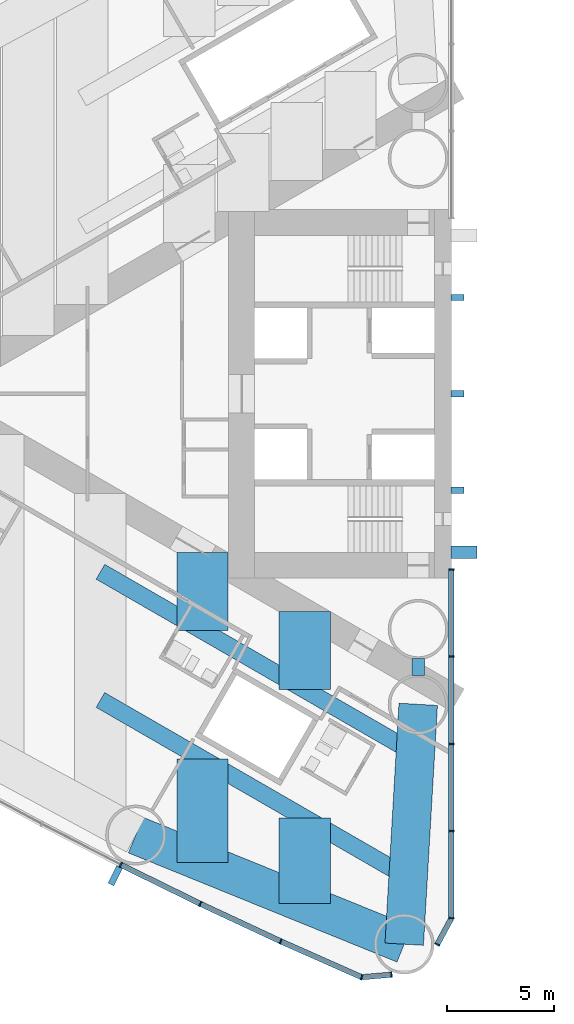
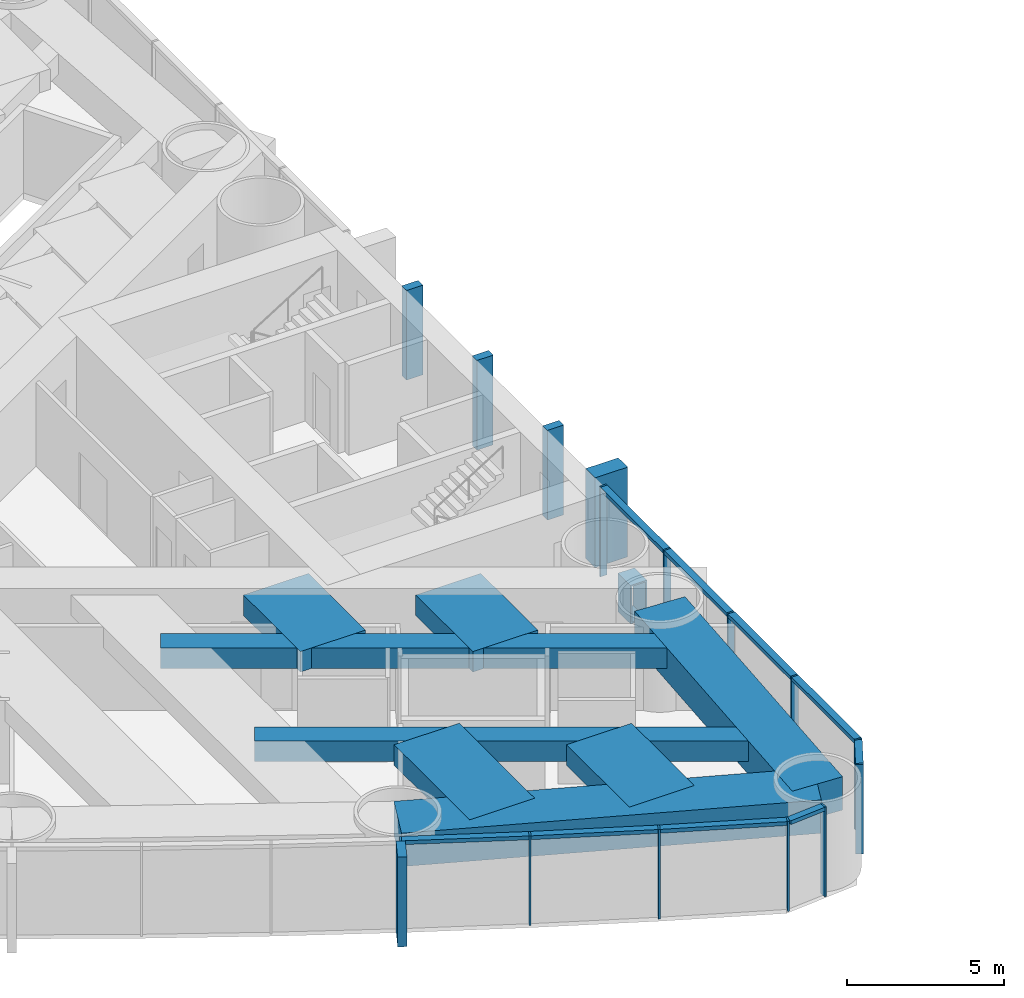
# One storey, part 3 of 19: 25 members, 9 beams, 2 elements without a shape of their own.
"""IFC4 building model written with IfcOpenShell, lengths in metres."""

from ifc_helpers import new_model, si_unit, direction, frame, origin, origin_2d, place, context, subcontext, project, spatial, rectangle, hollow_rectangle, extrude, material, material_profile, profile_set, type_object, element, aggregate, save


model = new_model("IFC4")

# Units and contexts
model_context = context("Model", 3, precision=1e-05, world=origin(), true_north=direction((0.0, 1.0)))
body_context = subcontext(model_context, "Body", "Model", "MODEL_VIEW")
ifc_project = project(units=[si_unit("LENGTHUNIT", "METRE"), si_unit("AREAUNIT", "SQUARE_METRE"), si_unit("VOLUMEUNIT", "CUBIC_METRE"), si_unit("PLANEANGLEUNIT", "RADIAN"), si_unit("MASSUNIT", "GRAM", prefix="KILO")], contexts=[model_context])

# Site, building, storey
site_placement = place(None, origin())
site = spatial("IfcSite", under=ifc_project, at=site_placement, CompositionType="ELEMENT")
building_placement = place(site_placement, origin())
building = spatial("IfcBuilding", under=site, at=building_placement, Name="Lancet Gate Hotel", CompositionType="ELEMENT")
storey_placement = place(building_placement, frame((0.0, 0.0, 35.5)))
storey = spatial("IfcBuildingStorey", under=building, at=storey_placement, Name="L08", CompositionType="ELEMENT", Elevation=35.5)

# Curtain wall, members
ifc_material_1 = material(Name="Aluminium curtain wall", Category="aluminium")
curtain_wall_type = type_object("IfcCurtainWallType", Name="Tower unitised curtain wall", PredefinedType="USERDEFINED", material=ifc_material_1)
curtain_wall_1_placement = place(storey_placement, origin())
curtain_wall_1 = element("IfcCurtainWall", 1, at=curtain_wall_1_placement, inside=storey, type_object=curtain_wall_type, Name="T1 L08 curtain wall 3", ObjectType="UNITISED CURTAIN WALL", PredefinedType="USERDEFINED")
ifc_material_2 = material(Name="Aluminium mullion", Category="aluminium")
ifc_material_profile_1 = material_profile(ifc_material_2, rectangle(XDim=0.06494140625, YDim=0.25, at=origin_2d()), Name="MULLION 65x250")
ifc_profile_set_1 = profile_set([ifc_material_profile_1], Name="Aluminium mullion")
member_type_1 = type_object("IfcMemberType", Name="Aluminium mullion 65x250", PredefinedType="MULLION", material=ifc_profile_set_1)
member_1_placement = place(storey_placement, frame((-42.94189453125, -21.991943359375, 0.0), z_axis=(0.0, 0.0, 1.0), x_axis=(0.893291549794, -0.449477704748, 0.0)))
member_1 = element("IfcMember", 2, at=member_1_placement, type_object=member_type_1, Name="T1 L08 curtain wall 3 mullion 11", PredefinedType="MULLION", context=body_context, shape_type="SweptSolid", body=[
    extrude(rectangle(XDim=0.06494140625, YDim=0.25, at=origin_2d()), origin(), (0.0, 0.0, 1.0), 3.5),
])
member_2_placement = place(storey_placement, frame((-39.225341796875, -23.816650390625, 0.0), z_axis=(0.0, 0.0, 1.0), x_axis=(0.901928838337, -0.431884672772, 0.0)))
member_2 = element("IfcMember", 3, at=member_2_placement, type_object=member_type_1, Name="T1 L08 curtain wall 3 mullion 12", PredefinedType="MULLION", context=body_context, shape_type="SweptSolid", body=[
    extrude(rectangle(XDim=0.06494140625, YDim=0.25, at=origin_2d()), origin(), (0.0, 0.0, 1.0), 3.5),
])
member_3_placement = place(storey_placement, frame((-35.473876953125, -25.568115234375, 0.0), z_axis=(0.0, 0.0, 1.0), x_axis=(0.910219680212, -0.414125746308, 0.0)))
member_3 = element("IfcMember", 4, at=member_3_placement, type_object=member_type_1, Name="T1 L08 curtain wall 3 mullion 13", PredefinedType="MULLION", context=body_context, shape_type="SweptSolid", body=[
    extrude(rectangle(XDim=0.06494140625, YDim=0.25, at=origin_2d()), origin(), (0.0, 0.0, 1.0), 3.5),
])
member_4_placement = place(storey_placement, frame((-31.688720703125, -27.24560546875, 0.0), z_axis=(0.0, 0.0, 1.0), x_axis=(0.957524354695, -0.288352406209, 0.0)))
member_4 = element("IfcMember", 5, at=member_4_placement, type_object=member_type_1, Name="T1 L08 curtain wall 3 mullion 14", PredefinedType="MULLION", context=body_context, shape_type="SweptSolid", body=[
    extrude(rectangle(XDim=0.06494140625, YDim=0.25, at=origin_2d()), origin(), (0.0, 0.0, 1.0), 3.5),
])
member_5_placement = place(storey_placement, frame((-30.3046875, -27.124755859375, 0.0), z_axis=(0.0, 0.0, 1.0), x_axis=(0.99620380374, 0.087051602022, 0.0)))
member_5 = element("IfcMember", 6, at=member_5_placement, type_object=member_type_1, Name="T1 L08 curtain wall 3 mullion 15", PredefinedType="MULLION", context=body_context, shape_type="SweptSolid", body=[
    extrude(rectangle(XDim=0.06494140625, YDim=0.25, at=origin_2d()), origin(), (0.0, 0.0, 1.0), 3.5),
])

curtain_wall_2_placement = place(storey_placement, origin())
curtain_wall_2 = element("IfcCurtainWall", 7, at=curtain_wall_2_placement, inside=storey, type_object=curtain_wall_type, Name="T1 L08 curtain wall 4", ObjectType="UNITISED CURTAIN WALL", PredefinedType="USERDEFINED")
member_6_placement = place(storey_placement, frame((-28.158935546875, -25.712890625, 0.0), z_axis=(0.0, 0.0, 1.0), x_axis=(0.474631040972, 0.880184852714, 0.0)))
member_6 = element("IfcMember", 8, at=member_6_placement, type_object=member_type_1, Name="T1 L08 curtain wall 4 mullion 1", PredefinedType="MULLION", context=body_context, shape_type="SweptSolid", body=[
    extrude(rectangle(XDim=0.06494140625, YDim=0.25, at=origin_2d()), origin(), (0.0, 0.0, 1.0), 3.5),
])
member_7_placement = place(storey_placement, frame((-27.5, -24.4912109375, 0.0), z_axis=(0.0, 0.0, 1.0), x_axis=(0.123482502544, 0.992346749662, 0.0)))
member_7 = element("IfcMember", 9, at=member_7_placement, type_object=member_type_1, Name="T1 L08 curtain wall 4 mullion 2", PredefinedType="MULLION", context=body_context, shape_type="SweptSolid", body=[
    extrude(rectangle(XDim=0.06494140625, YDim=0.25, at=origin_2d()), origin(), (0.0, 0.0, 1.0), 3.5),
])
member_8_placement = place(storey_placement, frame((-27.5, -20.41845703125, 0.0), z_axis=(0.0, 0.0, 1.0), x_axis=(0.0, 1.0, 0.0)))
member_8 = element("IfcMember", 10, at=member_8_placement, type_object=member_type_1, Name="T1 L08 curtain wall 4 mullion 3", PredefinedType="MULLION", context=body_context, shape_type="SweptSolid", body=[
    extrude(rectangle(XDim=0.06494140625, YDim=0.25, at=origin_2d()), origin(), (0.0, 0.0, 1.0), 3.5),
])
member_9_placement = place(storey_placement, frame((-27.5, -16.345703125, 0.0), z_axis=(0.0, 0.0, 1.0), x_axis=(0.0, 1.0, 0.0)))
member_9 = element("IfcMember", 11, at=member_9_placement, type_object=member_type_1, Name="T1 L08 curtain wall 4 mullion 4", PredefinedType="MULLION", context=body_context, shape_type="SweptSolid", body=[
    extrude(rectangle(XDim=0.06494140625, YDim=0.25, at=origin_2d()), origin(), (0.0, 0.0, 1.0), 3.5),
])
member_10_placement = place(storey_placement, frame((-27.5, -12.272705078125, 0.0), z_axis=(0.0, 0.0, 1.0), x_axis=(0.0, 1.0, 0.0)))
member_10 = element("IfcMember", 12, at=member_10_placement, type_object=member_type_1, Name="T1 L08 curtain wall 4 mullion 5", PredefinedType="MULLION", context=body_context, shape_type="SweptSolid", body=[
    extrude(rectangle(XDim=0.06494140625, YDim=0.25, at=origin_2d()), origin(), (0.0, 0.0, 1.0), 3.5),
])
member_11_placement = place(storey_placement, frame((-27.5, -8.199951171875, 0.0), z_axis=(0.0, 0.0, 1.0), x_axis=(0.0, 1.0, 0.0)))
member_11 = element("IfcMember", 13, at=member_11_placement, type_object=member_type_1, Name="T1 L08 curtain wall 4 mullion 6", PredefinedType="MULLION", context=body_context, shape_type="SweptSolid", body=[
    extrude(rectangle(XDim=0.06494140625, YDim=0.25, at=origin_2d()), origin(), (0.0, 0.0, 1.0), 3.5),
])

# Member
ifc_material_3 = material(Name="Aluminium transom", Category="aluminium")
ifc_material_profile_2 = material_profile(ifc_material_3, rectangle(XDim=0.25, YDim=0.14990234375, at=origin_2d()), Name="TRANSOM 250x150")
ifc_profile_set_2 = profile_set([ifc_material_profile_2], Name="Aluminium transom")
member_type_2 = type_object("IfcMemberType", Name="Aluminium transom 250x150", PredefinedType="USERDEFINED", material=ifc_profile_set_2)
member_12_placement = place(storey_placement, frame((-42.912841796875, -22.00634765625, 3.425048828125), z_axis=(0.897662439958, -0.440683723194, 0.0), x_axis=(0.440683723194, 0.897662439958, 0.0)))
member_12 = element("IfcMember", 14, at=member_12_placement, type_object=member_type_2, Name="T1 L08 curtain wall 3 transom 11", ObjectType="TRANSOM", PredefinedType="USERDEFINED", context=body_context, shape_type="SweptSolid", body=[
    extrude(rectangle(XDim=0.25, YDim=0.14990234375, at=origin_2d()), origin(), (0.0, 0.0, 1.0), 4.0751953125),
])

member_13_placement = place(storey_placement, frame((-39.196044921875, -23.830322265625, 3.425048828125), z_axis=(0.906109667261, -0.423042871228, 0.0), x_axis=(0.423042871228, 0.906109667261, 0.0)))
member_13 = element("IfcMember", 15, at=member_13_placement, type_object=member_type_2, Name="T1 L08 curtain wall 3 transom 12", ObjectType="TRANSOM", PredefinedType="USERDEFINED", context=body_context, shape_type="SweptSolid", body=[
    extrude(rectangle(XDim=0.25, YDim=0.14990234375, at=origin_2d()), origin(), (0.0, 0.0, 1.0), 4.075439453125),
])

member_14_placement = place(storey_placement, frame((-35.444091796875, -25.581298828125, 3.425048828125), z_axis=(0.914248281954, -0.405154389022, 0.0), x_axis=(0.405154389022, 0.914248281954, 0.0)))
member_14 = element("IfcMember", 16, at=member_14_placement, type_object=member_type_2, Name="T1 L08 curtain wall 3 transom 13", ObjectType="TRANSOM", PredefinedType="USERDEFINED", context=body_context, shape_type="SweptSolid", body=[
    extrude(rectangle(XDim=0.25, YDim=0.14990234375, at=origin_2d()), origin(), (0.0, 0.0, 1.0), 4.0751953125),
])

member_15_placement = place(storey_placement, frame((-31.65625, -27.242919921875, 3.425048828125), z_axis=(0.99620591587, 0.087027427779, 0.0), x_axis=(-0.087027427779, 0.99620591587, 0.0)))
member_15 = element("IfcMember", 17, at=member_15_placement, type_object=member_type_2, Name="T1 L08 curtain wall 3 transom 14", ObjectType="TRANSOM", PredefinedType="USERDEFINED", context=body_context, shape_type="SweptSolid", body=[
    extrude(rectangle(XDim=0.25, YDim=0.14990234375, at=origin_2d()), origin(), (0.0, 0.0, 1.0), 1.32421875),
])

member_16_placement = place(storey_placement, frame((-28.143310546875, -25.684326171875, 3.425048828125), z_axis=(0.474605926905, 0.880198394765, 0.0), x_axis=(-0.880198394765, 0.474605926905, 0.0)))
member_16 = element("IfcMember", 18, at=member_16_placement, type_object=member_type_2, Name="T1 L08 curtain wall 4 transom 1", ObjectType="TRANSOM", PredefinedType="USERDEFINED", context=body_context, shape_type="SweptSolid", body=[
    extrude(rectangle(XDim=0.25, YDim=0.14990234375, at=origin_2d()), origin(), (0.0, 0.0, 1.0), 1.322998046875),
])

member_17_placement = place(storey_placement, frame((-27.5, -24.458740234375, 3.425048828125), z_axis=(0.0, 1.0, 0.0), x_axis=(-1.0, 0.0, 0.0)))
member_17 = element("IfcMember", 19, at=member_17_placement, type_object=member_type_2, Name="T1 L08 curtain wall 4 transom 2", ObjectType="TRANSOM", PredefinedType="USERDEFINED", context=body_context, shape_type="SweptSolid", body=[
    extrude(rectangle(XDim=0.25, YDim=0.14990234375, at=origin_2d()), origin(), (0.0, 0.0, 1.0), 4.0078125),
])

member_18_placement = place(storey_placement, frame((-27.5, -20.385986328125, 3.425048828125), z_axis=(0.0, 1.0, 0.0), x_axis=(-1.0, 0.0, 0.0)))
member_18 = element("IfcMember", 20, at=member_18_placement, type_object=member_type_2, Name="T1 L08 curtain wall 4 transom 3", ObjectType="TRANSOM", PredefinedType="USERDEFINED", context=body_context, shape_type="SweptSolid", body=[
    extrude(rectangle(XDim=0.25, YDim=0.14990234375, at=origin_2d()), origin(), (0.0, 0.0, 1.0), 4.0078125),
])

member_19_placement = place(storey_placement, frame((-27.5, -16.31298828125, 3.425048828125), z_axis=(0.0, 1.0, 0.0), x_axis=(-1.0, 0.0, 0.0)))
member_19 = element("IfcMember", 21, at=member_19_placement, type_object=member_type_2, Name="T1 L08 curtain wall 4 transom 4", ObjectType="TRANSOM", PredefinedType="USERDEFINED", context=body_context, shape_type="SweptSolid", body=[
    extrude(rectangle(XDim=0.25, YDim=0.14990234375, at=origin_2d()), origin(), (0.0, 0.0, 1.0), 4.0078125),
])

member_20_placement = place(storey_placement, frame((-27.5, -12.240234375, 3.425048828125), z_axis=(0.0, 1.0, 0.0), x_axis=(-1.0, 0.0, 0.0)))
member_20 = element("IfcMember", 22, at=member_20_placement, type_object=member_type_2, Name="T1 L08 curtain wall 4 transom 5", ObjectType="TRANSOM", PredefinedType="USERDEFINED", context=body_context, shape_type="SweptSolid", body=[
    extrude(rectangle(XDim=0.25, YDim=0.14990234375, at=origin_2d()), origin(), (0.0, 0.0, 1.0), 4.0078125),
])

aggregate(curtain_wall_2, [member_6, member_7, member_8, member_9, member_10, member_11, member_16, member_17, member_18, member_19, member_20])

# Beams
ifc_material_4 = material(Name="Concrete C50/60", Category="concrete")
ifc_material_profile_3 = material_profile(ifc_material_4, rectangle(XDim=1.800048828125, YDim=1.300048828125, at=origin_2d()), Name="RC 1800x1300")
ifc_profile_set_3 = profile_set([ifc_material_profile_3], Name="Concrete C50/60")
beam_type_1 = type_object("IfcBeamType", Name="Edge beam RC 1800x1300", PredefinedType="SPANDREL", material=ifc_profile_set_3)
beam_1_placement = place(storey_placement, frame((-42.2451171875, -20.607421875, 2.60009765625), z_axis=(0.926463236197, -0.376385270667, 0.0), x_axis=(0.376385270667, 0.926463236197, 0.0)))
element("IfcBeam", 23, at=beam_1_placement, inside=storey, type_object=beam_type_1, Name="T1 edge beam EB1 L08", PredefinedType="SPANDREL", context=body_context, shape_type="SweptSolid", body=[
    extrude(rectangle(XDim=1.800048828125, YDim=1.300048828125, at=origin_2d()), origin(), (0.0, 0.0, 1.0), 13.537353515625),
])
beam_2_placement = place(storey_placement, frame((-29.050048828125, -14.5, 2.60009765625), z_axis=(-0.058219521912, -0.998303805096, 0.0), x_axis=(0.998303805096, -0.058219521912, 0.0)))
element("IfcBeam", 24, at=beam_2_placement, inside=storey, type_object=beam_type_1, Name="T1 edge beam EB1 L08", PredefinedType="SPANDREL", context=body_context, shape_type="SweptSolid", body=[
    extrude(rectangle(XDim=1.800048828125, YDim=1.300048828125, at=origin_2d()), origin(), (0.0, 0.0, 1.0), 11.2216796875),
])

# Member
ifc_material_5 = material(Name="Concrete C60/75", Category="concrete")
ifc_material_profile_4 = material_profile(ifc_material_5, rectangle(XDim=0.60009765625, YDim=1.199951171875, at=origin_2d()), Name="FIN 600x1200")
ifc_profile_set_4 = profile_set([ifc_material_profile_4], Name="Concrete C60/75")
member_type_3 = type_object("IfcMemberType", Name="Exposed concrete buttress pilaster 600x1200", PredefinedType="USERDEFINED", material=ifc_profile_set_4)
member_21_placement = place(storey_placement, frame((-26.909912109375, -7.39990234375, 0.0), z_axis=(0.0, 0.0, 1.0), x_axis=(0.0, 1.0, 0.0)))
element("IfcMember", 25, at=member_21_placement, inside=storey, type_object=member_type_3, Name="T1 buttress pilaster N L08", ObjectType="FIN", PredefinedType="USERDEFINED", context=body_context, shape_type="SweptSolid", body=[
    extrude(rectangle(XDim=0.60009765625, YDim=1.199951171875, at=origin_2d()), origin(), (0.0, 0.0, 1.0), 3.5),
])

ifc_material_6 = material(Name="Precast concrete C50/60", Category="concrete")
ifc_material_profile_5 = material_profile(ifc_material_6, rectangle(XDim=0.300048828125, YDim=0.89990234375, at=origin_2d()), Name="FIN 300x900")
ifc_profile_set_5 = profile_set([ifc_material_profile_5], Name="Precast concrete C50/60")
member_type_4 = type_object("IfcMemberType", Name="Exposed concrete fin 300x900", PredefinedType="USERDEFINED", material=ifc_profile_set_5)
member_22_placement = place(storey_placement, frame((-43.200439453125, -22.505615234375, 0.0), z_axis=(0.0, 0.0, 1.0), x_axis=(0.893291549794, -0.449477704748, 0.0)))
member_22 = element("IfcMember", 26, at=member_22_placement, type_object=member_type_4, Name="T1 L08 curtain wall 3 fin 11", ObjectType="FIN", PredefinedType="USERDEFINED", context=body_context, shape_type="SweptSolid", body=[
    extrude(rectangle(XDim=0.300048828125, YDim=0.89990234375, at=origin_2d()), origin(), (0.0, 0.0, 1.0), 3.5),
])

aggregate(curtain_wall_1, [member_1, member_22, member_2, member_3, member_4, member_5, member_12, member_13, member_14, member_15])

# Members
ifc_material_7 = material(Name="Concrete C60/75", Category="concrete")
ifc_material_profile_6 = material_profile(ifc_material_7, rectangle(XDim=0.300048828125, YDim=0.60009765625, at=origin_2d()), Name="FIN 300x600")
ifc_profile_set_6 = profile_set([ifc_material_profile_6], Name="Concrete C60/75")
member_type_5 = type_object("IfcMemberType", Name="Exposed concrete rib 300x600", PredefinedType="USERDEFINED", material=ifc_profile_set_6)
for number, where, z_axis, x_axis, name in (
    (27, (-27.2099609375, 4.5, 0.0), (0.0, 0.0, 1.0), (0.0, 1.0, 0.0), "T1 core rib 1 L08"),
    (28, (-27.2099609375, 0.0, 0.0), (0.0, 0.0, 1.0), (0.0, 1.0, 0.0), "T1 core rib 2 L08"),
    (29, (-27.2099609375, -4.5, 0.0), (0.0, 0.0, 1.0), (0.0, 1.0, 0.0), "T1 core rib 3 L08"),
):
    element("IfcMember", number, at=place(storey_placement, frame(where, z_axis=z_axis, x_axis=x_axis)), inside=storey, type_object=member_type_5, Name=name, ObjectType="FIN", PredefinedType="USERDEFINED", context=body_context, shape_type="SweptSolid", body=[
        extrude(rectangle(XDim=0.300048828125, YDim=0.60009765625, at=origin_2d()), origin(), (0.0, 0.0, 1.0), 3.5),
    ])

# Beams
ifc_material_8 = material(Name="Concrete C50/60", Category="concrete")
ifc_material_profile_7 = material_profile(ifc_material_8, rectangle(XDim=2.39990234375, YDim=0.800048828125, at=origin_2d()), Name="RC 2400x800")
ifc_profile_set_7 = profile_set([ifc_material_profile_7], Name="Concrete C50/60")
beam_type_2 = type_object("IfcBeamType", Name="Floor beam RC 2400x800", PredefinedType="BEAM", material=ifc_profile_set_7)
beam_3_placement = place(storey_placement, frame((-34.353515625, -10.169921875, 2.85009765625), z_axis=(0.0, -1.0, 0.0), x_axis=(1.0, 0.0, 0.0)))
element("IfcBeam", 30, at=beam_3_placement, inside=storey, type_object=beam_type_2, Name="T1 floor beam F03NA L08", PredefinedType="BEAM", context=body_context, shape_type="SweptSolid", body=[
    extrude(rectangle(XDim=2.39990234375, YDim=0.800048828125, at=origin_2d()), origin(), (0.0, 0.0, 1.0), 3.645751953125),
])
beam_4_placement = place(storey_placement, frame((-34.353515625, -19.802978515625, 2.85009765625), z_axis=(0.0, -1.0, 0.0), x_axis=(1.0, 0.0, 0.0)))
element("IfcBeam", 31, at=beam_4_placement, inside=storey, type_object=beam_type_2, Name="T1 floor beam F03NB L08", PredefinedType="BEAM", context=body_context, shape_type="SweptSolid", body=[
    extrude(rectangle(XDim=2.39990234375, YDim=0.800048828125, at=origin_2d()), origin(), (0.0, 0.0, 1.0), 4.010498046875),
])
beam_5_placement = place(storey_placement, frame((-39.122314453125, -7.41650390625, 2.85009765625), z_axis=(0.0, -1.0, 0.0), x_axis=(1.0, 0.0, 0.0)))
element("IfcBeam", 32, at=beam_5_placement, inside=storey, type_object=beam_type_2, Name="T1 floor beam F06NA L08", PredefinedType="BEAM", context=body_context, shape_type="SweptSolid", body=[
    extrude(rectangle(XDim=2.39990234375, YDim=0.800048828125, at=origin_2d()), origin(), (0.0, 0.0, 1.0), 3.64599609375),
])
beam_6_placement = place(storey_placement, frame((-39.122314453125, -17.0498046875, 2.85009765625), z_axis=(0.0, -1.0, 0.0), x_axis=(1.0, 0.0, 0.0)))
element("IfcBeam", 33, at=beam_6_placement, inside=storey, type_object=beam_type_2, Name="T1 floor beam F06NB L08", PredefinedType="BEAM", context=body_context, shape_type="SweptSolid", body=[
    extrude(rectangle(XDim=2.39990234375, YDim=0.800048828125, at=origin_2d()), origin(), (0.0, 0.0, 1.0), 4.826416015625),
])
ifc_material_9 = material(Name="Steel S460QL", Category="steel")
ifc_material_profile_8 = material_profile(ifc_material_9, hollow_rectangle(XDim=0.60009765625, YDim=1.5, WallThickness=0.050048828125, at=origin_2d()), Name="BOX 1500x600x50")
ifc_profile_set_8 = profile_set([ifc_material_profile_8], Name="Steel S460QL")
beam_type_3 = type_object("IfcBeamType", Name="Inner-face link beam BOX 1500x600x50", PredefinedType="BEAM", material=ifc_profile_set_8)
beam_7_placement = place(storey_placement, frame((-29.050048828125, -12.35009765625, 2.5), z_axis=(0.0, -1.0, 0.0), x_axis=(1.0, 0.0, 0.0)))
element("IfcBeam", 34, at=beam_7_placement, inside=storey, type_object=beam_type_3, Name="T1 inner-face link beam LK1 L08", PredefinedType="BEAM", context=body_context, shape_type="SweptSolid", body=[
    extrude(hollow_rectangle(XDim=0.60009765625, YDim=1.5, WallThickness=0.050048828125, at=origin_2d()), origin(), (0.0, 0.0, 1.0), 0.7998046875),
])
ifc_material_10 = material(Name="Steel S460QL", Category="steel")
ifc_material_profile_9 = material_profile(ifc_material_10, hollow_rectangle(XDim=0.800048828125, YDim=0.800048828125, WallThickness=0.080078125, at=origin_2d()), Name="BOX 800x800x80")
ifc_profile_set_9 = profile_set([ifc_material_profile_9], Name="Steel S460QL")
beam_type_4 = type_object("IfcBeamType", Name="Trimmer beam BOX 800x800x80", PredefinedType="BEAM", material=ifc_profile_set_9)
for number, where, z_axis, x_axis, name in (
    (35, (-29.58447265625, -22.55615234375, 2.85009765625), (-0.866040141834, 0.49997447208, 0.0), (-0.49997447208, -0.866040141834, 0.0), "T1 trimmer beam TR03N L08"),
    (36, (-29.58447265625, -16.56884765625, 2.85009765625), (-0.866040141834, 0.49997447208, 0.0), (-0.49997447208, -0.866040141834, 0.0), "T1 trimmer beam TR04N L08"),
):
    element("IfcBeam", number, at=place(storey_placement, frame(where, z_axis=z_axis, x_axis=x_axis)), inside=storey, type_object=beam_type_4, Name=name, PredefinedType="BEAM", context=body_context, shape_type="SweptSolid", body=[
        extrude(hollow_rectangle(XDim=0.800048828125, YDim=0.800048828125, WallThickness=0.080078125, at=origin_2d()), origin(), (0.0, 0.0, 1.0), 16.519775390625),
    ])

save(model, "model.ifc")
